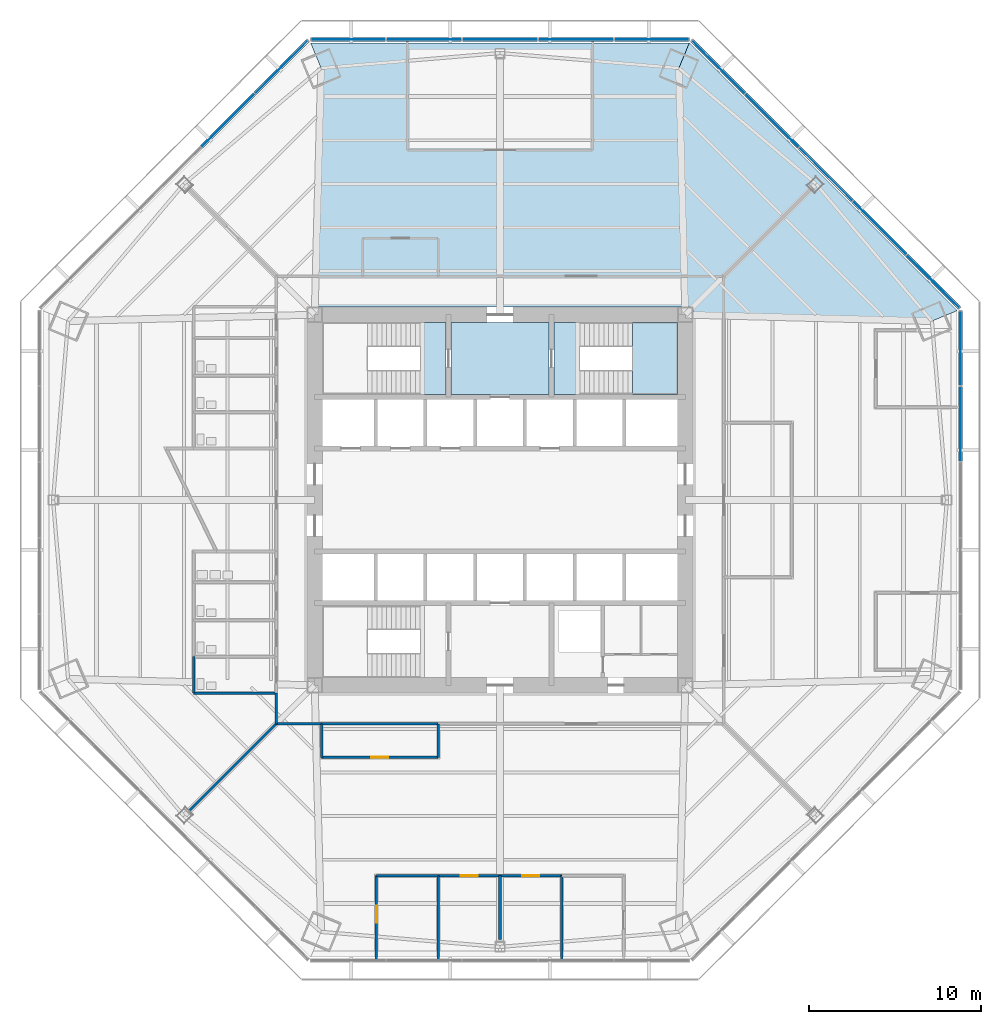
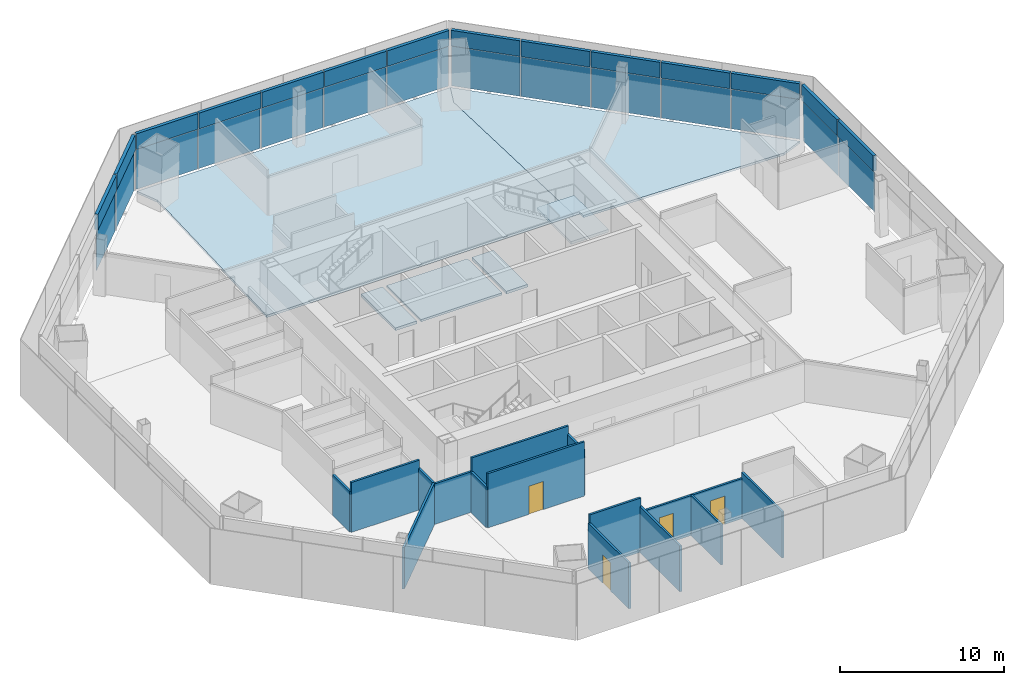
# One storey, part 7 of 14: 28 plates, 15 walls, 6 slabs, 4 doors, 4 openings, 6 elements without a shape of their own.
"""IFC4 building model written with IfcOpenShell, lengths in metres."""

from ifc_helpers import new_model, si_unit, direction, frame, frame_2d, origin, origin_2d, place, context, subcontext, project, spatial, polyline, rectangle, outline, extrude, source, transform, mapped, material, layer, layer_set, type_object, type_shapes, element, fill, aggregate, save


model = new_model("IFC4")

# Units and contexts
model_context = context("Model", 3, precision=1e-05, world=origin(), true_north=direction((0.0, 1.0)))
body_context = subcontext(model_context, "Body", "Model", "MODEL_VIEW")
ifc_project = project(units=[si_unit("LENGTHUNIT", "METRE"), si_unit("AREAUNIT", "SQUARE_METRE"), si_unit("VOLUMEUNIT", "CUBIC_METRE"), si_unit("PLANEANGLEUNIT", "RADIAN"), si_unit("MASSUNIT", "GRAM", prefix="KILO")], contexts=[model_context])

# Site, building, storey
site_placement = place(None, origin())
site = spatial("IfcSite", under=ifc_project, at=site_placement, CompositionType="ELEMENT")
building_placement = place(site_placement, origin())
building = spatial("IfcBuilding", under=site, at=building_placement, Name="Mashrafa Tower", CompositionType="ELEMENT")
storey_placement = place(building_placement, frame((0.0, 0.0, 41.39990234375)))
storey = spatial("IfcBuildingStorey", under=building, at=storey_placement, Name="L08", CompositionType="ELEMENT", Elevation=41.39990234375)

# Slabs
ifc_material_1 = material(Name="Concrete C35/45", Category="concrete")
ifc_layer_1 = layer(ifc_material_1, 0.1650390625)
ifc_layer_set_1 = layer_set([ifc_layer_1], Name="Floor slab 165")
slab_type_1 = type_object("IfcSlabType", Name="Floor slab 165", PredefinedType="FLOOR", material=ifc_layer_set_1)
slab_1_placement = place(storey_placement, frame((0.0, 0.0, -0.164794921875)))
element("IfcSlab", 1, at=slab_1_placement, inside=storey, type_object=slab_type_1, Name="Floor slab L08 north-east bay", PredefinedType="FLOOR", context=body_context, shape_type="SweptSolid", body=[
    extrude(outline(polyline([(26.6435546875, 11.0361328125), (25.169921875, 10.42578125), (11.25, 10.788330078125), (11.25, 11.25), (10.788330078125, 11.25), (10.42578125, 25.169921875), (11.0361328125, 26.6435546875), (26.6435546875, 11.0361328125)])), origin(), (0.0, 0.0, 1.0), 0.164794921875),
])
slab_2_placement = place(storey_placement, frame((0.0, 0.0, -0.164794921875)))
element("IfcSlab", 2, at=slab_2_placement, inside=storey, type_object=slab_type_1, Name="Floor slab L08 north bay", PredefinedType="FLOOR", context=body_context, shape_type="SweptSolid", body=[
    extrude(outline(polyline([(-11.0361328125, 26.6435546875), (11.0361328125, 26.6435546875), (11.0361328125, 26.6435546875), (10.42578125, 25.169921875), (10.788330078125, 11.25), (-10.788330078125, 11.25), (-10.42578125, 25.169921875), (-11.0361328125, 26.6435546875), (-11.0361328125, 26.6435546875)])), origin(), (0.0, 0.0, 1.0), 0.164794921875),
])
slab_3_placement = place(storey_placement, frame((0.0, 0.0, -0.164794921875)))
element("IfcSlab", 3, at=slab_3_placement, inside=storey, type_object=slab_type_1, Name="Core floor fire-fighting lobby north L08", PredefinedType="FLOOR", context=body_context, shape_type="SweptSolid", body=[
    extrude(outline(polyline([(-2.85009765625, 10.35009765625), (2.85009765625, 10.35009765625), (2.85009765625, 6.14990234375), (-2.85009765625, 6.14990234375), (-2.85009765625, 10.35009765625)])), origin(), (0.0, 0.0, 1.0), 0.164794921875),
])

# Stair, slab
ifc_material_2 = material(Name="Exit stair 1400")
stair_type = type_object("IfcStairType", Name="Exit stair 1400", PredefinedType="HALF_TURN_STAIR", material=ifc_material_2)
stair_1_placement = place(storey_placement, origin())
stair_1 = element("IfcStair", 4, at=stair_1_placement, inside=storey, type_object=stair_type, Name="Stair S1 L08", PredefinedType="HALF_TURN_STAIR")
ifc_material_3 = material(Name="Concrete C32/40", Category="concrete")
ifc_layer_2 = layer(ifc_material_3, 0.199951171875)
ifc_layer_set_2 = layer_set([ifc_layer_2], Name="Stair landing 200")
slab_type_2 = type_object("IfcSlabType", Name="Stair landing 200", PredefinedType="LANDING", material=ifc_layer_set_2)
slab_4_placement = place(storey_placement, frame((0.0, 0.0, -0.199951171875)))
slab_4 = element("IfcSlab", 5, at=slab_4_placement, type_object=slab_type_2, Name="S1 landing 1", PredefinedType="LANDING", context=body_context, shape_type="SweptSolid", body=[
    extrude(outline(polyline([(-4.659912109375, 6.14990234375), (-3.14990234375, 6.14990234375), (-3.14990234375, 10.35009765625), (-4.659912109375, 10.35009765625), (-4.659912109375, 6.14990234375)])), origin(), (0.0, 0.0, 1.0), 0.199951171875),
])
aggregate(stair_1, [slab_4])

# Stair, slabs
stair_2_placement = place(storey_placement, origin())
stair_2 = element("IfcStair", 6, at=stair_2_placement, inside=storey, type_object=stair_type, Name="Stair S2 L08", PredefinedType="HALF_TURN_STAIR")
slab_5_placement = place(storey_placement, frame((0.0, 0.0, -0.199951171875)))
slab_5 = element("IfcSlab", 7, at=slab_5_placement, type_object=slab_type_2, Name="S2 landing 1", PredefinedType="LANDING", context=body_context, shape_type="SweptSolid", body=[
    extrude(outline(polyline([(3.14990234375, 6.14990234375), (4.659912109375, 6.14990234375), (4.659912109375, 10.35009765625), (3.14990234375, 10.35009765625), (3.14990234375, 6.14990234375)])), origin(), (0.0, 0.0, 1.0), 0.199951171875),
])
slab_6_placement = place(storey_placement, frame((0.0, 0.0, 1.900146484375)))
slab_6 = element("IfcSlab", 8, at=slab_6_placement, type_object=slab_type_2, Name="S2 landing 2", PredefinedType="LANDING", context=body_context, shape_type="SweptSolid", body=[
    extrude(outline(polyline([(7.719970703125, 6.14990234375), (10.35009765625, 6.14990234375), (10.35009765625, 10.35009765625), (7.719970703125, 10.35009765625), (7.719970703125, 6.14990234375)])), origin(), (0.0, 0.0, 1.0), 0.199951171875),
])
aggregate(stair_2, [slab_5, slab_6])

# Curtain wall, plate
ifc_material_4 = material(Name="Unitised aluminium curtain wall", Category="aluminium")
curtain_wall_type = type_object("IfcCurtainWallType", Name="Office curtain wall, zone 1 CW-A 200 deep", PredefinedType="NOTDEFINED", material=ifc_material_4)
curtain_wall_1_placement = place(storey_placement, origin())
curtain_wall_1 = element("IfcCurtainWall", 9, at=curtain_wall_1_placement, inside=storey, type_object=curtain_wall_type, Name="Office curtain wall, zone 1 L08 east", PredefinedType="NOTDEFINED")
ifc_material_5 = material(Name="Insulated double glazing, low-e, neutral", Category="glass")
ifc_layer_3 = layer(ifc_material_5, 0.028076171875)
ifc_layer_set_3 = layer_set([ifc_layer_3], Name="Vision panel CW-A 28")
plate_type_1 = type_object("IfcPlateType", Name="Vision panel CW-A 28", PredefinedType="CURTAIN_PANEL", material=ifc_layer_set_3)
shared_shape_1 = source(origin(), body_context, "Body", "SweptSolid", [
    extrude(rectangle(XDim=4.32958984375, YDim=0.028076171875, at=origin_2d()), origin(), (0.0, 0.0, 1.0), 2.9599609375),
])
plate_1_placement = place(storey_placement, frame((26.843505859375, 8.837890625, 0.0), z_axis=(0.0, 0.0, 1.0), x_axis=(0.0, 1.0, 0.0)))
plate_1 = element("IfcPlate", 10, at=plate_1_placement, type_object=plate_type_1, Name="CW-A vision panel 5", PredefinedType="CURTAIN_PANEL", context=body_context, shape_type="MappedRepresentation", body=[
    mapped(shared_shape_1, transform((0.0, 0.0, 0.0))),
])

# Curtain wall, plates
curtain_wall_2_placement = place(storey_placement, origin())
curtain_wall_2 = element("IfcCurtainWall", 11, at=curtain_wall_2_placement, inside=storey, type_object=curtain_wall_type, Name="Office curtain wall, zone 1 L08 north-east", PredefinedType="NOTDEFINED")
plate_2_placement = place(storey_placement, frame((25.23046875, 12.73193359375, 0.0), z_axis=(0.0, 0.0, 1.0), x_axis=(-0.707106781187, 0.707106781187, 0.0)))
plate_2 = element("IfcPlate", 12, at=plate_2_placement, type_object=plate_type_1, Name="CW-A vision panel 1", PredefinedType="CURTAIN_PANEL", context=body_context, shape_type="MappedRepresentation", body=[
    mapped(shared_shape_1, transform((0.0, 0.0, 0.0))),
])
plate_3_placement = place(storey_placement, frame((12.73193359375, 25.23046875, 0.0), z_axis=(0.0, 0.0, 1.0), x_axis=(-0.707106781187, 0.707106781187, 0.0)))
plate_3 = element("IfcPlate", 13, at=plate_3_placement, type_object=plate_type_1, Name="CW-A vision panel 5", PredefinedType="CURTAIN_PANEL", context=body_context, shape_type="MappedRepresentation", body=[
    mapped(shared_shape_1, transform((0.0, 0.0, 0.0))),
])

curtain_wall_3_placement = place(storey_placement, origin())
curtain_wall_3 = element("IfcCurtainWall", 14, at=curtain_wall_3_placement, inside=storey, type_object=curtain_wall_type, Name="Office curtain wall, zone 1 L08 north", PredefinedType="NOTDEFINED")
plate_4_placement = place(storey_placement, frame((8.837890625, 26.843505859375, 0.0), z_axis=(0.0, 0.0, 1.0), x_axis=(-1.0, 0.0, 0.0)))
plate_4 = element("IfcPlate", 15, at=plate_4_placement, type_object=plate_type_1, Name="CW-A vision panel 1", PredefinedType="CURTAIN_PANEL", context=body_context, shape_type="MappedRepresentation", body=[
    mapped(shared_shape_1, transform((0.0, 0.0, 0.0))),
])
plate_5_placement = place(storey_placement, frame((-8.837890625, 26.843505859375, 0.0), z_axis=(0.0, 0.0, 1.0), x_axis=(-1.0, 0.0, 0.0)))
plate_5 = element("IfcPlate", 16, at=plate_5_placement, type_object=plate_type_1, Name="CW-A vision panel 5", PredefinedType="CURTAIN_PANEL", context=body_context, shape_type="MappedRepresentation", body=[
    mapped(shared_shape_1, transform((0.0, 0.0, 0.0))),
])

# Curtain wall, plate
curtain_wall_4_placement = place(storey_placement, origin())
curtain_wall_4 = element("IfcCurtainWall", 17, at=curtain_wall_4_placement, inside=storey, type_object=curtain_wall_type, Name="Office curtain wall, zone 1 L08 north-west", PredefinedType="NOTDEFINED")
plate_6_placement = place(storey_placement, frame((-12.73193359375, 25.23046875, 0.0), z_axis=(0.0, 0.0, 1.0), x_axis=(-0.707106781187, -0.707106781187, 0.0)))
plate_6 = element("IfcPlate", 18, at=plate_6_placement, type_object=plate_type_1, Name="CW-A vision panel 1", PredefinedType="CURTAIN_PANEL", context=body_context, shape_type="MappedRepresentation", body=[
    mapped(shared_shape_1, transform((0.0, 0.0, 0.0))),
])

# Plate
ifc_material_6 = material(Name="Insulated aluminium spandrel panel", Category="aluminium")
ifc_layer_4 = layer(ifc_material_6, 0.219970703125)
ifc_layer_set_4 = layer_set([ifc_layer_4], Name="Spandrel panel CW-A 220")
plate_type_2 = type_object("IfcPlateType", Name="Spandrel panel CW-A 220", PredefinedType="CURTAIN_PANEL", material=ifc_layer_set_4)
shared_shape_2 = source(origin(), body_context, "Body", "SweptSolid", [
    extrude(rectangle(XDim=4.32958984375, YDim=0.219970703125, at=origin_2d()), origin(), (0.0, 0.0, 1.0), 1.159912109375),
])
plate_7_placement = place(storey_placement, frame((26.843505859375, 8.837890625, 3.0400390625), z_axis=(0.0, 0.0, 1.0), x_axis=(0.0, 1.0, 0.0)))
plate_7 = element("IfcPlate", 19, at=plate_7_placement, type_object=plate_type_2, Name="CW-A spandrel panel 5", PredefinedType="CURTAIN_PANEL", context=body_context, shape_type="MappedRepresentation", body=[
    mapped(shared_shape_2, transform((0.0, 0.0, 0.0))),
])

plate_8_placement = place(storey_placement, frame((25.23046875, 12.73193359375, 3.0400390625), z_axis=(0.0, 0.0, 1.0), x_axis=(-0.707106781187, 0.707106781187, 0.0)))
plate_8 = element("IfcPlate", 20, at=plate_8_placement, type_object=plate_type_2, Name="CW-A spandrel panel 1", PredefinedType="CURTAIN_PANEL", context=body_context, shape_type="MappedRepresentation", body=[
    mapped(shared_shape_2, transform((0.0, 0.0, 0.0))),
])

plate_9_placement = place(storey_placement, frame((12.73193359375, 25.23046875, 3.0400390625), z_axis=(0.0, 0.0, 1.0), x_axis=(-0.707106781187, 0.707106781187, 0.0)))
plate_9 = element("IfcPlate", 21, at=plate_9_placement, type_object=plate_type_2, Name="CW-A spandrel panel 5", PredefinedType="CURTAIN_PANEL", context=body_context, shape_type="MappedRepresentation", body=[
    mapped(shared_shape_2, transform((0.0, 0.0, 0.0))),
])

plate_10_placement = place(storey_placement, frame((8.837890625, 26.843505859375, 3.0400390625), z_axis=(0.0, 0.0, 1.0), x_axis=(-1.0, 0.0, 0.0)))
plate_10 = element("IfcPlate", 22, at=plate_10_placement, type_object=plate_type_2, Name="CW-A spandrel panel 1", PredefinedType="CURTAIN_PANEL", context=body_context, shape_type="MappedRepresentation", body=[
    mapped(shared_shape_2, transform((0.0, 0.0, 0.0))),
])

plate_11_placement = place(storey_placement, frame((-8.837890625, 26.843505859375, 3.0400390625), z_axis=(0.0, 0.0, 1.0), x_axis=(-1.0, 0.0, 0.0)))
plate_11 = element("IfcPlate", 23, at=plate_11_placement, type_object=plate_type_2, Name="CW-A spandrel panel 5", PredefinedType="CURTAIN_PANEL", context=body_context, shape_type="MappedRepresentation", body=[
    mapped(shared_shape_2, transform((0.0, 0.0, 0.0))),
])

plate_12_placement = place(storey_placement, frame((-12.73193359375, 25.23046875, 3.0400390625), z_axis=(0.0, 0.0, 1.0), x_axis=(-0.707106781187, -0.707106781187, 0.0)))
plate_12 = element("IfcPlate", 24, at=plate_12_placement, type_object=plate_type_2, Name="CW-A spandrel panel 1", PredefinedType="CURTAIN_PANEL", context=body_context, shape_type="MappedRepresentation", body=[
    mapped(shared_shape_2, transform((0.0, 0.0, 0.0))),
])

shared_shape_3 = source(origin(), body_context, "Body", "SweptSolid", [
    extrude(rectangle(XDim=4.362060546875, YDim=0.028076171875, at=origin_2d()), origin(), (0.0, 0.0, 1.0), 2.9599609375),
])
type_shapes(plate_type_1, [shared_shape_1, shared_shape_3])
plate_13_placement = place(storey_placement, frame((26.843505859375, 4.427001953125, 0.0), z_axis=(0.0, 0.0, 1.0), x_axis=(0.0, 1.0, 0.0)))
plate_13 = element("IfcPlate", 25, at=plate_13_placement, type_object=plate_type_1, Name="CW-A vision panel 4", PredefinedType="CURTAIN_PANEL", context=body_context, shape_type="MappedRepresentation", body=[
    mapped(shared_shape_3, transform((0.0, 0.0, 0.0))),
])

plate_14_placement = place(storey_placement, frame((22.111572265625, 15.850830078125, 0.0), z_axis=(0.0, 0.0, 1.0), x_axis=(-0.707106781187, 0.707106781187, 0.0)))
plate_14 = element("IfcPlate", 26, at=plate_14_placement, type_object=plate_type_1, Name="CW-A vision panel 2", PredefinedType="CURTAIN_PANEL", context=body_context, shape_type="MappedRepresentation", body=[
    mapped(shared_shape_3, transform((0.0, 0.0, 0.0))),
])

plate_15_placement = place(storey_placement, frame((18.981201171875, 18.981201171875, 0.0), z_axis=(0.0, 0.0, 1.0), x_axis=(-0.707106781187, 0.707106781187, 0.0)))
plate_15 = element("IfcPlate", 27, at=plate_15_placement, type_object=plate_type_1, Name="CW-A vision panel 3", PredefinedType="CURTAIN_PANEL", context=body_context, shape_type="MappedRepresentation", body=[
    mapped(shared_shape_3, transform((0.0, 0.0, 0.0))),
])

plate_16_placement = place(storey_placement, frame((15.850830078125, 22.111572265625, 0.0), z_axis=(0.0, 0.0, 1.0), x_axis=(-0.707106781187, 0.707106781187, 0.0)))
plate_16 = element("IfcPlate", 28, at=plate_16_placement, type_object=plate_type_1, Name="CW-A vision panel 4", PredefinedType="CURTAIN_PANEL", context=body_context, shape_type="MappedRepresentation", body=[
    mapped(shared_shape_3, transform((0.0, 0.0, 0.0))),
])

plate_17_placement = place(storey_placement, frame((4.427001953125, 26.843505859375, 0.0), z_axis=(0.0, 0.0, 1.0), x_axis=(-1.0, 0.0, 0.0)))
plate_17 = element("IfcPlate", 29, at=plate_17_placement, type_object=plate_type_1, Name="CW-A vision panel 2", PredefinedType="CURTAIN_PANEL", context=body_context, shape_type="MappedRepresentation", body=[
    mapped(shared_shape_3, transform((0.0, 0.0, 0.0))),
])

plate_18_placement = place(storey_placement, frame((0.0, 26.843505859375, 0.0), z_axis=(0.0, 0.0, 1.0), x_axis=(-1.0, 0.0, 0.0)))
plate_18 = element("IfcPlate", 30, at=plate_18_placement, type_object=plate_type_1, Name="CW-A vision panel 3", PredefinedType="CURTAIN_PANEL", context=body_context, shape_type="MappedRepresentation", body=[
    mapped(shared_shape_3, transform((0.0, 0.0, 0.0))),
])

plate_19_placement = place(storey_placement, frame((-4.427001953125, 26.843505859375, 0.0), z_axis=(0.0, 0.0, 1.0), x_axis=(-1.0, 0.0, 0.0)))
plate_19 = element("IfcPlate", 31, at=plate_19_placement, type_object=plate_type_1, Name="CW-A vision panel 4", PredefinedType="CURTAIN_PANEL", context=body_context, shape_type="MappedRepresentation", body=[
    mapped(shared_shape_3, transform((0.0, 0.0, 0.0))),
])

plate_20_placement = place(storey_placement, frame((-15.850830078125, 22.111572265625, 0.0), z_axis=(0.0, 0.0, 1.0), x_axis=(-0.707106781187, -0.707106781187, 0.0)))
plate_20 = element("IfcPlate", 32, at=plate_20_placement, type_object=plate_type_1, Name="CW-A vision panel 2", PredefinedType="CURTAIN_PANEL", context=body_context, shape_type="MappedRepresentation", body=[
    mapped(shared_shape_3, transform((0.0, 0.0, 0.0))),
])

shared_shape_4 = source(origin(), body_context, "Body", "SweptSolid", [
    extrude(rectangle(XDim=4.362060546875, YDim=0.219970703125, at=origin_2d()), origin(), (0.0, 0.0, 1.0), 1.159912109375),
])
type_shapes(plate_type_2, [shared_shape_2, shared_shape_4])
plate_21_placement = place(storey_placement, frame((26.843505859375, 4.427001953125, 3.0400390625), z_axis=(0.0, 0.0, 1.0), x_axis=(0.0, 1.0, 0.0)))
plate_21 = element("IfcPlate", 33, at=plate_21_placement, type_object=plate_type_2, Name="CW-A spandrel panel 4", PredefinedType="CURTAIN_PANEL", context=body_context, shape_type="MappedRepresentation", body=[
    mapped(shared_shape_4, transform((0.0, 0.0, 0.0))),
])

aggregate(curtain_wall_1, [plate_13, plate_21, plate_1, plate_7])

plate_22_placement = place(storey_placement, frame((22.111572265625, 15.850830078125, 3.0400390625), z_axis=(0.0, 0.0, 1.0), x_axis=(-0.707106781187, 0.707106781187, 0.0)))
plate_22 = element("IfcPlate", 34, at=plate_22_placement, type_object=plate_type_2, Name="CW-A spandrel panel 2", PredefinedType="CURTAIN_PANEL", context=body_context, shape_type="MappedRepresentation", body=[
    mapped(shared_shape_4, transform((0.0, 0.0, 0.0))),
])

plate_23_placement = place(storey_placement, frame((18.981201171875, 18.981201171875, 3.0400390625), z_axis=(0.0, 0.0, 1.0), x_axis=(-0.707106781187, 0.707106781187, 0.0)))
plate_23 = element("IfcPlate", 35, at=plate_23_placement, type_object=plate_type_2, Name="CW-A spandrel panel 3", PredefinedType="CURTAIN_PANEL", context=body_context, shape_type="MappedRepresentation", body=[
    mapped(shared_shape_4, transform((0.0, 0.0, 0.0))),
])

plate_24_placement = place(storey_placement, frame((15.850830078125, 22.111572265625, 3.0400390625), z_axis=(0.0, 0.0, 1.0), x_axis=(-0.707106781187, 0.707106781187, 0.0)))
plate_24 = element("IfcPlate", 36, at=plate_24_placement, type_object=plate_type_2, Name="CW-A spandrel panel 4", PredefinedType="CURTAIN_PANEL", context=body_context, shape_type="MappedRepresentation", body=[
    mapped(shared_shape_4, transform((0.0, 0.0, 0.0))),
])

aggregate(curtain_wall_2, [plate_2, plate_8, plate_14, plate_22, plate_15, plate_23, plate_16, plate_24, plate_3, plate_9])

plate_25_placement = place(storey_placement, frame((4.427001953125, 26.843505859375, 3.0400390625), z_axis=(0.0, 0.0, 1.0), x_axis=(-1.0, 0.0, 0.0)))
plate_25 = element("IfcPlate", 37, at=plate_25_placement, type_object=plate_type_2, Name="CW-A spandrel panel 2", PredefinedType="CURTAIN_PANEL", context=body_context, shape_type="MappedRepresentation", body=[
    mapped(shared_shape_4, transform((0.0, 0.0, 0.0))),
])

plate_26_placement = place(storey_placement, frame((0.0, 26.843505859375, 3.0400390625), z_axis=(0.0, 0.0, 1.0), x_axis=(-1.0, 0.0, 0.0)))
plate_26 = element("IfcPlate", 38, at=plate_26_placement, type_object=plate_type_2, Name="CW-A spandrel panel 3", PredefinedType="CURTAIN_PANEL", context=body_context, shape_type="MappedRepresentation", body=[
    mapped(shared_shape_4, transform((0.0, 0.0, 0.0))),
])

plate_27_placement = place(storey_placement, frame((-4.427001953125, 26.843505859375, 3.0400390625), z_axis=(0.0, 0.0, 1.0), x_axis=(-1.0, 0.0, 0.0)))
plate_27 = element("IfcPlate", 39, at=plate_27_placement, type_object=plate_type_2, Name="CW-A spandrel panel 4", PredefinedType="CURTAIN_PANEL", context=body_context, shape_type="MappedRepresentation", body=[
    mapped(shared_shape_4, transform((0.0, 0.0, 0.0))),
])

aggregate(curtain_wall_3, [plate_4, plate_10, plate_17, plate_25, plate_18, plate_26, plate_19, plate_27, plate_5, plate_11])

plate_28_placement = place(storey_placement, frame((-15.850830078125, 22.111572265625, 3.0400390625), z_axis=(0.0, 0.0, 1.0), x_axis=(-0.707106781187, -0.707106781187, 0.0)))
plate_28 = element("IfcPlate", 40, at=plate_28_placement, type_object=plate_type_2, Name="CW-A spandrel panel 2", PredefinedType="CURTAIN_PANEL", context=body_context, shape_type="MappedRepresentation", body=[
    mapped(shared_shape_4, transform((0.0, 0.0, 0.0))),
])

aggregate(curtain_wall_4, [plate_6, plate_12, plate_20, plate_28])

# Walls
ifc_material_7 = material(Name="Gypsum board on steel studs", Category="steel")
ifc_layer_5 = layer(ifc_material_7, 0.14990234375)
ifc_layer_set_5 = layer_set([ifc_layer_5], Name="Corridor partition 150 1 hr")
wall_type_1 = type_object("IfcWallType", Name="Corridor partition 150 1 hr", PredefinedType="PARTITIONING", material=ifc_layer_set_5)
wall_1_placement = place(storey_placement, frame((-10.40087890625, -13.050048828125, 0.0), z_axis=(0.0, 0.0, 1.0), x_axis=(1.0, 0.0, 0.0)))
element("IfcWall", 41, at=wall_1_placement, inside=storey, type_object=wall_type_1, Name="Corridor wall L08-012", PredefinedType="PARTITIONING", context=body_context, shape_type="SweptSolid", body=[
    extrude(rectangle(XDim=6.8017578125, YDim=0.14990234375, at=frame_2d((3.40087890625, 0.0))), origin(), (0.0, 0.0, 1.0), 4.03515625),
])
wall_2_placement = place(storey_placement, frame((-13.050048828125, -13.050048828125, 0.0), z_axis=(0.0, 0.0, 1.0), x_axis=(1.0, 0.0, 0.0)))
element("IfcWall", 42, at=wall_2_placement, inside=storey, type_object=wall_type_1, Name="Corridor wall L08-017", PredefinedType="PARTITIONING", context=body_context, shape_type="SweptSolid", body=[
    extrude(rectangle(XDim=2.651123046875, YDim=0.14990234375, at=frame_2d((1.32568359375, 0.0))), origin(), (0.0, 0.0, 1.0), 3.01416015625),
])
wall_3_placement = place(storey_placement, frame((-13.050048828125, -11.2490234375, 0.0), z_axis=(0.0, 0.0, 1.0), x_axis=(0.0, -1.0, 0.0)))
element("IfcWall", 43, at=wall_3_placement, inside=storey, type_object=wall_type_1, Name="Corridor wall L08-019", PredefinedType="PARTITIONING", context=body_context, shape_type="SweptSolid", body=[
    extrude(rectangle(XDim=1.801025390625, YDim=0.14990234375, at=frame_2d((0.900390625, 0.0))), origin(), (0.0, 0.0, 1.0), 3.097900390625),
])
ifc_material_8 = material(Name="Gypsum board on steel studs", Category="steel")
ifc_layer_6 = layer(ifc_material_8, 0.14990234375)
ifc_layer_set_6 = layer_set([ifc_layer_6], Name="Partition 150")
wall_type_2 = type_object("IfcWallType", Name="Partition 150", PredefinedType="PARTITIONING", material=ifc_layer_set_6)
wall_4_placement = place(storey_placement, frame((-17.85009765625, -9.125, 0.0), z_axis=(0.0, 0.0, 1.0), x_axis=(0.0, -1.0, 0.0)))
element("IfcWall", 44, at=wall_4_placement, inside=storey, type_object=wall_type_2, Name="Partition wall L08-031", PredefinedType="PARTITIONING", context=body_context, shape_type="SweptSolid", body=[
    extrude(rectangle(XDim=2.125, YDim=0.14990234375, at=frame_2d((1.0625, 0.0))), origin(), (0.0, 0.0, 1.0), 3.01416015625),
])
wall_5_placement = place(storey_placement, frame((-17.85009765625, -11.25, 0.0), z_axis=(0.0, 0.0, 1.0), x_axis=(1.0, 0.0, 0.0)))
element("IfcWall", 45, at=wall_5_placement, inside=storey, type_object=wall_type_2, Name="Partition wall L08-032", PredefinedType="PARTITIONING", context=body_context, shape_type="SweptSolid", body=[
    extrude(rectangle(XDim=4.800048828125, YDim=0.14990234375, at=frame_2d((2.39990234375, 0.0))), origin(), (0.0, 0.0, 1.0), 3.715087890625),
])
wall_6_placement = place(storey_placement, frame((-10.39990234375, -13.050048828125, 0.0), z_axis=(0.0, 0.0, 1.0), x_axis=(0.0, -1.0, 0.0)))
element("IfcWall", 46, at=wall_6_placement, inside=storey, type_object=wall_type_2, Name="Partition wall L08-051", PredefinedType="PARTITIONING", context=body_context, shape_type="SweptSolid", body=[
    extrude(rectangle(XDim=1.949951171875, YDim=0.14990234375, at=frame_2d((0.97509765625, 0.0))), origin(), (0.0, 0.0, 1.0), 3.01416015625),
])

# Wall, opening, door
wall_7_placement = place(storey_placement, frame((-10.39990234375, -15.0, 0.0), z_axis=(0.0, 0.0, 1.0), x_axis=(1.0, 0.0, 0.0)))
wall_7 = element("IfcWall", 47, at=wall_7_placement, inside=storey, type_object=wall_type_2, Name="Partition wall L08-052", PredefinedType="PARTITIONING", context=body_context, shape_type="SweptSolid", body=[
    extrude(rectangle(XDim=6.7998046875, YDim=0.14990234375, at=frame_2d((3.39990234375, 0.0))), origin(), (0.0, 0.0, 1.0), 4.03515625),
])
opening_1_placement = place(wall_7_placement, frame((2.89990234375, 0.0, 0.0)))
opening_1 = element("IfcOpeningElement", 48, at=opening_1_placement, cuts=wall_7, Name="Opening 08.013", PredefinedType="OPENING", context=body_context, shape_type="SweptSolid", body=[
    extrude(rectangle(XDim=1.0, YDim=2.10009765625, at=frame_2d((0.5, 1.050048828125))), frame((0.0, 0.0849609375, 0.0), z_axis=(0.0, -1.0, 0.0), x_axis=(1.0, 0.0, 0.0)), (0.0, 0.0, 1.0), 0.169921875),
])
ifc_material_9 = material(Name="Timber door", Category="wood")
door_type = type_object("IfcDoorType", Name="Door 1000 x 2100", OperationType="USERDEFINED", PredefinedType="DOOR", material=ifc_material_9)
door_1_placement = place(opening_1_placement, origin())
door_1 = element("IfcDoor", 49, at=door_1_placement, inside=storey, type_object=door_type, Name="Copy and Print Room 08 door", OperationType="SINGLE_SWING_LEFT", OverallHeight=2.10009765625, OverallWidth=1.0, PredefinedType="DOOR", context=body_context, shape_type="SweptSolid", body=[
    extrude(rectangle(XDim=1.0, YDim=2.10009765625, at=frame_2d((0.5, 1.050048828125))), frame((0.0, 0.02490234375, 0.0), z_axis=(0.0, -1.0, 0.0), x_axis=(1.0, 0.0, 0.0)), (0.0, 0.0, 1.0), 0.050048828125),
])
fill(opening_1, door_1)

# Walls
wall_8_placement = place(storey_placement, frame((-3.60009765625, -15.0, 0.0), z_axis=(0.0, 0.0, 1.0), x_axis=(0.0, 1.0, 0.0)))
element("IfcWall", 50, at=wall_8_placement, inside=storey, type_object=wall_type_2, Name="Partition wall L08-053", PredefinedType="PARTITIONING", context=body_context, shape_type="SweptSolid", body=[
    extrude(rectangle(XDim=1.949951171875, YDim=0.14990234375, at=frame_2d((0.97509765625, 0.0))), origin(), (0.0, 0.0, 1.0), 3.42578125),
])
wall_9_placement = place(storey_placement, frame((-3.60009765625, -26.82568359375, 0.0), z_axis=(0.0, 0.0, 1.0), x_axis=(0.0, 1.0, 0.0)))
element("IfcWall", 51, at=wall_9_placement, inside=storey, type_object=wall_type_2, Name="Partition wall L08-054", PredefinedType="PARTITIONING", context=body_context, shape_type="SweptSolid", body=[
    extrude(rectangle(XDim=4.93212890625, YDim=0.14990234375, at=frame_2d((2.466064453125, 0.0))), origin(), (0.0, 0.0, 1.0), 3.423095703125),
])
wall_10_placement = place(storey_placement, frame((-3.60009765625, -21.8935546875, 0.0), z_axis=(0.0, 0.0, 1.0), x_axis=(-1.0, 0.0, 0.0)))
element("IfcWall", 52, at=wall_10_placement, inside=storey, type_object=wall_type_2, Name="Partition wall L08-055", PredefinedType="PARTITIONING", context=body_context, shape_type="SweptSolid", body=[
    extrude(rectangle(XDim=3.599853515625, YDim=0.14990234375, at=frame_2d((1.7998046875, 0.0))), origin(), (0.0, 0.0, 1.0), 4.03515625),
])

# Wall, opening, door
wall_11_placement = place(storey_placement, frame((-7.199951171875, -21.8935546875, 0.0), z_axis=(0.0, 0.0, 1.0), x_axis=(0.0, -1.0, 0.0)))
wall_11 = element("IfcWall", 53, at=wall_11_placement, inside=storey, type_object=wall_type_2, Name="Partition wall L08-056", PredefinedType="PARTITIONING", context=body_context, shape_type="SweptSolid", body=[
    extrude(rectangle(XDim=4.93408203125, YDim=0.14990234375, at=frame_2d((2.467041015625, 0.0))), origin(), (0.0, 0.0, 1.0), 3.423095703125),
])
opening_2_placement = place(wall_11_placement, frame((1.75, 0.0, 0.0)))
opening_2 = element("IfcOpeningElement", 54, at=opening_2_placement, cuts=wall_11, Name="Opening 08.014", PredefinedType="OPENING", context=body_context, shape_type="SweptSolid", body=[
    extrude(rectangle(XDim=1.0, YDim=2.10009765625, at=frame_2d((0.5, 1.050048828125))), frame((0.0, 0.0849609375, 0.0), z_axis=(0.0, -1.0, 0.0), x_axis=(1.0, 0.0, 0.0)), (0.0, 0.0, 1.0), 0.169921875),
])
door_2_placement = place(opening_2_placement, origin())
door_2 = element("IfcDoor", 55, at=door_2_placement, inside=storey, type_object=door_type, Name="Executive Office 08-1 door", OperationType="SINGLE_SWING_RIGHT", OverallHeight=2.10009765625, OverallWidth=1.0, PredefinedType="DOOR", context=body_context, shape_type="SweptSolid", body=[
    extrude(rectangle(XDim=1.0, YDim=2.10009765625, at=frame_2d((0.5, 1.050048828125))), frame((0.0, 0.02490234375, 0.0), z_axis=(0.0, -1.0, 0.0), x_axis=(1.0, 0.0, 0.0)), (0.0, 0.0, 1.0), 0.050048828125),
])
fill(opening_2, door_2)

# Wall
wall_12_placement = place(storey_placement, frame((0.0, -25.605712890625, 0.0), z_axis=(0.0, 0.0, 1.0), x_axis=(0.0, 1.0, 0.0)))
element("IfcWall", 56, at=wall_12_placement, inside=storey, type_object=wall_type_2, Name="Partition wall L08-057", PredefinedType="PARTITIONING", context=body_context, shape_type="SweptSolid", body=[
    extrude(rectangle(XDim=3.712158203125, YDim=0.14990234375, at=frame_2d((1.85595703125, 0.0))), origin(), (0.0, 0.0, 1.0), 2.983642578125),
])

# Wall, openings, doors
wall_13_placement = place(storey_placement, frame((-3.60009765625, -21.8935546875, 0.0), z_axis=(0.0, 0.0, 1.0), x_axis=(1.0, 0.0, 0.0)))
wall_13 = element("IfcWall", 57, at=wall_13_placement, inside=storey, type_object=wall_type_2, Name="Partition wall L08-058", PredefinedType="PARTITIONING", context=body_context, shape_type="SweptSolid", body=[
    extrude(rectangle(XDim=7.2001953125, YDim=0.14990234375, at=frame_2d((3.60009765625, 0.0))), origin(), (0.0, 0.0, 1.0), 2.983642578125),
])
opening_3_placement = place(wall_13_placement, frame((1.300048828125, 0.0, 0.0)))
opening_3 = element("IfcOpeningElement", 58, at=opening_3_placement, cuts=wall_13, Name="Opening 08.015", PredefinedType="OPENING", context=body_context, shape_type="SweptSolid", body=[
    extrude(rectangle(XDim=1.0, YDim=2.10009765625, at=frame_2d((0.5, 1.050048828125))), frame((0.0, 0.0849609375, 0.0), z_axis=(0.0, -1.0, 0.0), x_axis=(1.0, 0.0, 0.0)), (0.0, 0.0, 1.0), 0.169921875),
])
opening_4_placement = place(wall_13_placement, frame((4.89990234375, 0.0, 0.0)))
opening_4 = element("IfcOpeningElement", 59, at=opening_4_placement, cuts=wall_13, Name="Opening 08.016", PredefinedType="OPENING", context=body_context, shape_type="SweptSolid", body=[
    extrude(rectangle(XDim=1.0, YDim=2.10009765625, at=frame_2d((0.5, 1.050048828125))), frame((0.0, 0.0849609375, 0.0), z_axis=(0.0, -1.0, 0.0), x_axis=(1.0, 0.0, 0.0)), (0.0, 0.0, 1.0), 0.169921875),
])
door_3_placement = place(opening_3_placement, frame((1.0, 0.0, 0.0), z_axis=(0.0, 0.0, 1.0), x_axis=(-1.0, 0.0, 0.0)))
door_3 = element("IfcDoor", 60, at=door_3_placement, inside=storey, type_object=door_type, Name="Executive Office 08-2 door", OperationType="SINGLE_SWING_RIGHT", OverallHeight=2.10009765625, OverallWidth=1.0, PredefinedType="DOOR", context=body_context, shape_type="SweptSolid", body=[
    extrude(rectangle(XDim=1.0, YDim=2.10009765625, at=frame_2d((0.5, 1.050048828125))), frame((0.0, 0.02490234375, 0.0), z_axis=(0.0, -1.0, 0.0), x_axis=(1.0, 0.0, 0.0)), (0.0, 0.0, 1.0), 0.050048828125),
])
fill(opening_3, door_3)
door_4_placement = place(opening_4_placement, frame((1.0, 0.0, 0.0), z_axis=(0.0, 0.0, 1.0), x_axis=(-1.0, 0.0, 0.0)))
door_4 = element("IfcDoor", 61, at=door_4_placement, inside=storey, type_object=door_type, Name="Executive Office 08-3 door", OperationType="SINGLE_SWING_RIGHT", OverallHeight=2.10009765625, OverallWidth=1.0, PredefinedType="DOOR", context=body_context, shape_type="SweptSolid", body=[
    extrude(rectangle(XDim=1.0, YDim=2.10009765625, at=frame_2d((0.5, 1.050048828125))), frame((0.0, 0.02490234375, 0.0), z_axis=(0.0, -1.0, 0.0), x_axis=(1.0, 0.0, 0.0)), (0.0, 0.0, 1.0), 0.050048828125),
])
fill(opening_4, door_4)

# Walls
wall_14_placement = place(storey_placement, frame((3.60009765625, -26.82568359375, 0.0), z_axis=(0.0, 0.0, 1.0), x_axis=(0.0, 1.0, 0.0)))
element("IfcWall", 62, at=wall_14_placement, inside=storey, type_object=wall_type_2, Name="Partition wall L08-059", PredefinedType="PARTITIONING", context=body_context, shape_type="SweptSolid", body=[
    extrude(rectangle(XDim=4.93212890625, YDim=0.14990234375, at=frame_2d((2.466064453125, 0.0))), origin(), (0.0, 0.0, 1.0), 3.423095703125),
])
wall_15_placement = place(storey_placement, frame((-13.050048828125, -13.050048828125, 0.0), z_axis=(0.0, 0.0, 1.0), x_axis=(-0.707106781187, -0.707106781187, 0.0)))
element("IfcWall", 63, at=wall_15_placement, inside=storey, type_object=wall_type_2, Name="Partition wall L08-072", PredefinedType="PARTITIONING", context=body_context, shape_type="SweptSolid", body=[
    extrude(rectangle(XDim=7.150146484375, YDim=0.14990234375, at=frame_2d((3.5751953125, 0.0))), origin(), (0.0, 0.0, 1.0), 3.097900390625),
])

save(model, "model.ifc")
